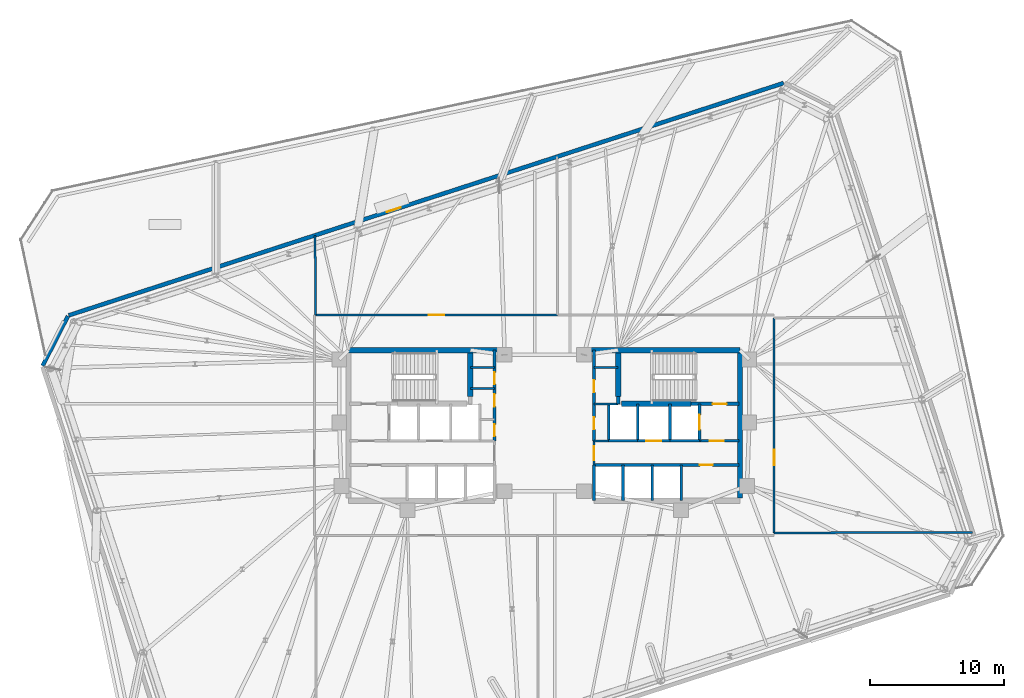
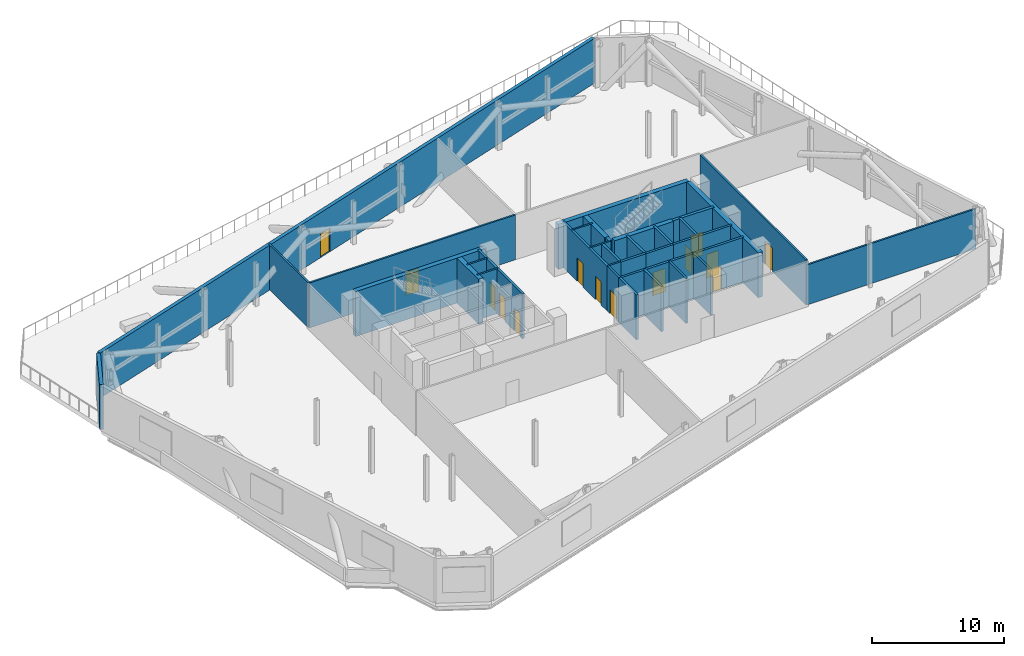
# One storey, part 14 of 16: 35 walls, 14 doors, 14 openings.
"""IFC4 building model written with IfcOpenShell, lengths in metres."""

from ifc_helpers import new_model, si_unit, direction, frame, frame_2d, origin, place, context, subcontext, project, spatial, rectangle, extrude, material, layer, layer_set, type_object, element, fill, save


model = new_model("IFC4")

# Units and contexts
model_context = context("Model", 3, precision=1e-05, world=origin(), true_north=direction((0.0, 1.0)))
body_context = subcontext(model_context, "Body", "Model", "MODEL_VIEW")
ifc_project = project(units=[si_unit("LENGTHUNIT", "METRE"), si_unit("AREAUNIT", "SQUARE_METRE"), si_unit("VOLUMEUNIT", "CUBIC_METRE"), si_unit("PLANEANGLEUNIT", "RADIAN"), si_unit("MASSUNIT", "GRAM", prefix="KILO")], contexts=[model_context])

# Site, building, storey
site_placement = place(None, origin())
site = spatial("IfcSite", under=ifc_project, at=site_placement, CompositionType="ELEMENT")
building_placement = place(site_placement, origin())
building = spatial("IfcBuilding", under=site, at=building_placement, Name="Menara Jurai Vektor", CompositionType="ELEMENT")
storey_placement = place(building_placement, frame((0.0, 0.0, 202.39990234375)))
storey = spatial("IfcBuildingStorey", under=building, at=storey_placement, Name="L53", CompositionType="ELEMENT", Elevation=202.39990234375)

# Wall, opening, door
ifc_material_1 = material(Name="Insulated Pale Aluminium Spandrel Wall", Category="aluminium")
ifc_layer_1 = layer(ifc_material_1, 0.300048828125)
ifc_layer_set_1 = layer_set([ifc_layer_1], Name="Insulated Pale Aluminium Spandrel Wall")
wall_type_1 = type_object("IfcWallType", Name="ENV-WALL-EXT300", PredefinedType="STANDARD", material=ifc_layer_set_1)
wall_1_placement = place(storey_placement, frame((17.806396484375, 25.459716796875, 0.0), z_axis=(0.0, 0.0, 1.0), x_axis=(-0.951056753609, -0.309016263999, 0.0)))
wall_1 = element("IfcWall", 1, at=wall_1_placement, inside=storey, type_object=wall_type_1, Name="Plant Floor Enclosure Wall L53-05", PredefinedType="STANDARD", context=body_context, shape_type="SweptSolid", body=[
    extrude(rectangle(XDim=55.909912109375, YDim=0.300048828125, at=frame_2d((27.955078125, 0.0))), origin(), (0.0, 0.0, 1.0), 4.150146484375),
])
opening_1_placement = place(wall_1_placement, frame((29.948974609375, 0.0, 0.0)))
opening_1 = element("IfcOpeningElement", 2, at=opening_1_placement, cuts=wall_1, Name="Opening TD-L53", PredefinedType="OPENING", context=body_context, shape_type="SweptSolid", body=[
    extrude(rectangle(XDim=1.10009765625, YDim=2.199951171875, at=frame_2d((0.550048828125, 1.10009765625))), frame((0.0, 0.16015625, 0.0), z_axis=(0.0, -1.0, 0.0), x_axis=(1.0, 0.0, 0.0)), (0.0, 0.0, 1.0), 0.320068359375),
])
ifc_material_2 = material(Name="Anodised Aluminium Glazed Terrace Door", Category="aluminium")
door_type_1 = type_object("IfcDoorType", Name="ENV-DOOR-TER110", OperationType="NOTDEFINED", PredefinedType="DOOR", material=ifc_material_2)
door_1_placement = place(opening_1_placement, frame((1.10009765625, 0.0, 0.0), z_axis=(0.0, 0.0, 1.0), x_axis=(-1.0, 0.0, 0.0)))
door_1 = element("IfcDoor", 3, at=door_1_placement, inside=storey, type_object=door_type_1, Name="Spiral Terrace Access Door L53", OperationType="SINGLE_SWING_LEFT", OverallHeight=2.199951171875, OverallWidth=1.10009765625, PredefinedType="DOOR", context=body_context, shape_type="SweptSolid", body=[
    extrude(rectangle(XDim=1.10009765625, YDim=2.199951171875, at=frame_2d((0.550048828125, 1.10009765625))), frame((0.0, 0.02490234375, 0.0), z_axis=(0.0, -1.0, 0.0), x_axis=(1.0, 0.0, 0.0)), (0.0, 0.0, 1.0), 0.050048828125),
])
fill(opening_1, door_1)

# Wall
wall_2_placement = place(storey_placement, frame((-35.430419921875, 8.128662109375, 0.0), z_axis=(0.0, 0.0, 1.0), x_axis=(-0.453973337542, -0.891015268556, 0.0)))
element("IfcWall", 4, at=wall_2_placement, inside=storey, type_object=wall_type_1, Name="Plant Floor Enclosure Wall L53-06", PredefinedType="STANDARD", context=body_context, shape_type="SweptSolid", body=[
    extrude(rectangle(XDim=4.15283203125, YDim=0.300048828125, at=frame_2d((2.076416015625, 0.0))), origin(), (0.0, 0.0, 1.0), 4.150146484375),
])

# Wall, opening, door
ifc_material_3 = material(Name="Concrete C40/50", Category="concrete")
ifc_layer_2 = layer(ifc_material_3, 0.25)
ifc_layer_set_2 = layer_set([ifc_layer_2], Name="Concrete C40/50")
wall_type_2 = type_object("IfcWallType", Name="INT-WALL-CORE-250", PredefinedType="STANDARD", material=ifc_layer_set_2)
wall_3_placement = place(storey_placement, frame((10.89990234375, 1.60009765625, 0.0), z_axis=(0.0, 0.0, 1.0), x_axis=(1.0, 0.0, 0.0)))
wall_3 = element("IfcWall", 5, at=wall_3_placement, inside=storey, type_object=wall_type_2, Name="Interior Wall IW-250 L53", PredefinedType="STANDARD", context=body_context, shape_type="SweptSolid", body=[
    extrude(rectangle(XDim=3.60009765625, YDim=0.25, at=frame_2d((1.800048828125, 0.0))), origin(), (0.0, 0.0, 1.0), 4.150146484375),
])
opening_2_placement = place(wall_3_placement, frame((1.6201171875, 0.0, 0.0)))
opening_2 = element("IfcOpeningElement", 6, at=opening_2_placement, cuts=wall_3, Name="Opening D-L53-ST2", PredefinedType="OPENING", context=body_context, shape_type="SweptSolid", body=[
    extrude(rectangle(XDim=1.050048828125, YDim=2.14990234375, at=frame_2d((0.52490234375, 1.074951171875))), frame((0.0, 0.135009765625, 0.0), z_axis=(0.0, -1.0, 0.0), x_axis=(1.0, 0.0, 0.0)), (0.0, 0.0, 1.0), 0.27001953125),
])
ifc_material_4 = material(Name="Fire-Rated Steel Door", Category="steel")
door_type_2 = type_object("IfcDoorType", Name="DR-STAIR-1050", OperationType="NOTDEFINED", PredefinedType="DOOR", material=ifc_material_4)
door_2_placement = place(opening_2_placement, origin())
door_2 = element("IfcDoor", 7, at=door_2_placement, inside=storey, type_object=door_type_2, Name="Exit Stair ST2 Door L53", OperationType="SINGLE_SWING_LEFT", OverallHeight=2.14990234375, OverallWidth=1.050048828125, PredefinedType="DOOR", context=body_context, shape_type="SweptSolid", body=[
    extrude(rectangle(XDim=1.050048828125, YDim=2.14990234375, at=frame_2d((0.52490234375, 1.074951171875))), frame((0.0, 0.02490234375, 0.0), z_axis=(0.0, -1.0, 0.0), x_axis=(1.0, 0.0, 0.0)), (0.0, 0.0, 1.0), 0.050048828125),
])
fill(opening_2, door_2)

# Wall
wall_4_placement = place(storey_placement, frame((5.5, 1.60009765625, 0.0), z_axis=(0.0, 0.0, 1.0), x_axis=(0.0, 1.0, 0.0)))
element("IfcWall", 8, at=wall_4_placement, inside=storey, type_object=wall_type_2, Name="Interior Wall IW-250 L53", PredefinedType="STANDARD", context=body_context, shape_type="SweptSolid", body=[
    extrude(rectangle(XDim=0.5498046875, YDim=0.25, at=frame_2d((0.27490234375, 0.0))), origin(), (0.0, 0.0, 1.0), 4.150146484375),
])

# Wall, opening, door
wall_5_placement = place(storey_placement, frame((11.550048828125, -1.14990234375, 0.0), z_axis=(0.0, 0.0, 1.0), x_axis=(0.0, 1.0, 0.0)))
wall_5 = element("IfcWall", 9, at=wall_5_placement, inside=storey, type_object=wall_type_2, Name="Interior Wall IW-250 L53", PredefinedType="STANDARD", context=body_context, shape_type="SweptSolid", body=[
    extrude(rectangle(XDim=2.75, YDim=0.199951171875, at=frame_2d((1.375, 0.0))), origin(), (0.0, 0.0, 1.0), 4.150146484375),
])
opening_3_placement = place(wall_5_placement, frame((0.824951171875, 0.0, 0.0)))
opening_3 = element("IfcOpeningElement", 10, at=opening_3_placement, cuts=wall_5, Name="Opening LD-L53-FL2", PredefinedType="OPENING", context=body_context, shape_type="SweptSolid", body=[
    extrude(rectangle(XDim=1.10009765625, YDim=2.14990234375, at=frame_2d((0.550048828125, 1.074951171875))), frame((0.0, 0.10986328125, 0.0), z_axis=(0.0, -1.0, 0.0), x_axis=(1.0, 0.0, 0.0)), (0.0, 0.0, 1.0), 0.219970703125),
])
ifc_material_5 = material(Name="Stainless Steel Sliding Lift Landing Door", Category="steel")
door_type_3 = type_object("IfcDoorType", Name="DR-LIFT-FIRE-1100", OperationType="NOTDEFINED", PredefinedType="DOOR", material=ifc_material_5)
door_3_placement = place(opening_3_placement, origin())
door_3 = element("IfcDoor", 11, at=door_3_placement, inside=storey, type_object=door_type_3, Name="Lift Landing Door FL2 L53", OperationType="SLIDING_TO_RIGHT", OverallHeight=2.14990234375, OverallWidth=1.10009765625, PredefinedType="DOOR", context=body_context, shape_type="SweptSolid", body=[
    extrude(rectangle(XDim=1.10009765625, YDim=2.14990234375, at=frame_2d((0.550048828125, 1.074951171875))), frame((0.0, 0.02490234375, 0.0), z_axis=(0.0, -1.0, 0.0), x_axis=(1.0, 0.0, 0.0)), (0.0, 0.0, 1.0), 0.050048828125),
])
fill(opening_3, door_3)

# Wall
wall_6_placement = place(storey_placement, frame((9.35009765625, -1.14990234375, 0.0), z_axis=(0.0, 0.0, 1.0), x_axis=(0.0, 1.0, 0.0)))
element("IfcWall", 12, at=wall_6_placement, inside=storey, type_object=wall_type_2, Name="Interior Wall IW-250 L53", PredefinedType="STANDARD", context=body_context, shape_type="SweptSolid", body=[
    extrude(rectangle(XDim=2.75, YDim=0.199951171875, at=frame_2d((1.375, 0.0))), origin(), (0.0, 0.0, 1.0), 4.150146484375),
])

# Wall, opening, door
wall_7_placement = place(storey_placement, frame((11.550048828125, -1.14990234375, 0.0), z_axis=(0.0, 0.0, 1.0), x_axis=(1.0, 0.0, 0.0)))
wall_7 = element("IfcWall", 13, at=wall_7_placement, inside=storey, type_object=wall_type_2, Name="Interior Wall IW-250 L53", PredefinedType="STANDARD", context=body_context, shape_type="SweptSolid", body=[
    extrude(rectangle(XDim=2.949951171875, YDim=0.199951171875, at=frame_2d((1.47509765625, 0.0))), origin(), (0.0, 0.0, 1.0), 4.150146484375),
])
opening_4_placement = place(wall_7_placement, frame((0.75, 0.0, 0.0)))
opening_4 = element("IfcOpeningElement", 14, at=opening_4_placement, cuts=wall_7, Name="Opening D-L53-FFE", PredefinedType="OPENING", context=body_context, shape_type="SweptSolid", body=[
    extrude(rectangle(XDim=1.050048828125, YDim=2.179931640625, at=frame_2d((0.52490234375, 1.08984375))), frame((0.0, 0.10986328125, 0.0), z_axis=(0.0, -1.0, 0.0), x_axis=(1.0, 0.0, 0.0)), (0.0, 0.0, 1.0), 0.219970703125),
])
ifc_material_6 = material(Name="Fire-Rated Timber Door", Category="wood")
door_type_4 = type_object("IfcDoorType", Name="DR-LOBBY-1050", OperationType="NOTDEFINED", PredefinedType="DOOR", material=ifc_material_6)
door_4_placement = place(opening_4_placement, origin())
door_4 = element("IfcDoor", 15, at=door_4_placement, inside=storey, type_object=door_type_4, Name="Fire Lift Lobby Door E L53", OperationType="SINGLE_SWING_LEFT", OverallHeight=2.179931640625, OverallWidth=1.050048828125, PredefinedType="DOOR", context=body_context, shape_type="SweptSolid", body=[
    extrude(rectangle(XDim=1.050048828125, YDim=2.179931640625, at=frame_2d((0.52490234375, 1.08984375))), frame((0.0, 0.02490234375, 0.0), z_axis=(0.0, -1.0, 0.0), x_axis=(1.0, 0.0, 0.0)), (0.0, 0.0, 1.0), 0.050048828125),
])
fill(opening_4, door_4)

# Wall
wall_8_placement = place(storey_placement, frame((9.35009765625, -1.14990234375, 0.0), z_axis=(0.0, 0.0, 1.0), x_axis=(1.0, 0.0, 0.0)))
element("IfcWall", 16, at=wall_8_placement, inside=storey, type_object=wall_type_2, Name="Interior Wall IW-250 L53", PredefinedType="STANDARD", context=body_context, shape_type="SweptSolid", body=[
    extrude(rectangle(XDim=2.199951171875, YDim=0.199951171875, at=frame_2d((1.10009765625, 0.0))), origin(), (0.0, 0.0, 1.0), 4.150146484375),
])

# Wall, opening, door
ifc_material_7 = material(Name="Gypsum Fireboard Partition", Category="gypsum")
ifc_layer_3 = layer(ifc_material_7, 0.14990234375)
ifc_layer_set_3 = layer_set([ifc_layer_3], Name="Gypsum Fireboard Partition")
wall_type_3 = type_object("IfcWallType", Name="INT-WALL-CORR-150", PredefinedType="PARTITIONING", material=ifc_layer_set_3)
wall_9_placement = place(storey_placement, frame((3.699951171875, -2.949951171875, 0.0), z_axis=(0.0, 0.0, 1.0), x_axis=(0.0, 1.0, 0.0)))
wall_9 = element("IfcWall", 17, at=wall_9_placement, inside=storey, type_object=wall_type_3, Name="Interior Wall IW-150 L53", PredefinedType="PARTITIONING", context=body_context, shape_type="SweptSolid", body=[
    extrude(rectangle(XDim=1.800048828125, YDim=0.14990234375, at=frame_2d((0.89990234375, 0.0))), origin(), (0.0, 0.0, 1.0), 4.150146484375),
])
opening_5_placement = place(wall_9_placement, frame((0.35009765625, 0.0, 0.0)))
opening_5 = element("IfcOpeningElement", 18, at=opening_5_placement, cuts=wall_9, Name="Opening D-L53-LLE", PredefinedType="OPENING", context=body_context, shape_type="SweptSolid", body=[
    extrude(rectangle(XDim=1.050048828125, YDim=2.179931640625, at=frame_2d((0.52490234375, 1.08984375))), frame((0.0, 0.0849609375, 0.0), z_axis=(0.0, -1.0, 0.0), x_axis=(1.0, 0.0, 0.0)), (0.0, 0.0, 1.0), 0.169921875),
])
door_5_placement = place(opening_5_placement, frame((1.050048828125, 0.0, 0.0), z_axis=(0.0, 0.0, 1.0), x_axis=(-1.0, 0.0, 0.0)))
door_5 = element("IfcDoor", 19, at=door_5_placement, inside=storey, type_object=door_type_4, Name="Lift Lobby Corridor Door E L53", OperationType="SINGLE_SWING_RIGHT", OverallHeight=2.179931640625, OverallWidth=1.050048828125, PredefinedType="DOOR", context=body_context, shape_type="SweptSolid", body=[
    extrude(rectangle(XDim=1.050048828125, YDim=2.179931640625, at=frame_2d((0.52490234375, 1.08984375))), frame((0.0, 0.02490234375, 0.0), z_axis=(0.0, -1.0, 0.0), x_axis=(1.0, 0.0, 0.0)), (0.0, 0.0, 1.0), 0.050048828125),
])
fill(opening_5, door_5)

# Walls
wall_10_placement = place(storey_placement, frame((3.699951171875, -1.14990234375, 0.0), z_axis=(0.0, 0.0, 1.0), x_axis=(1.0, 0.0, 0.0)))
element("IfcWall", 20, at=wall_10_placement, inside=storey, type_object=wall_type_3, Name="Interior Wall IW-150 L53", PredefinedType="PARTITIONING", context=body_context, shape_type="SweptSolid", body=[
    extrude(rectangle(XDim=1.090087890625, YDim=0.14990234375, at=frame_2d((0.544921875, 0.0))), origin(), (0.0, 0.0, 1.0), 4.150146484375),
])
for number, where, z_axis, x_axis, name in (
    (21, (-5.5, 4.300048828125, 0.0), (0.0, 0.0, 1.0), (1.0, 0.0, 0.0), "Interior Wall IW-150 L53"),
    (22, (-5.5, 2.75, 0.0), (0.0, 0.0, 1.0), (1.0, 0.0, 0.0), "Interior Wall IW-150 L53"),
    (23, (3.699951171875, 4.300048828125, 0.0), (0.0, 0.0, 1.0), (1.0, 0.0, 0.0), "Interior Wall IW-150 L53"),
    (24, (3.699951171875, 1.60009765625, 0.0), (0.0, 0.0, 1.0), (1.0, 0.0, 0.0), "Interior Wall IW-150 L53"),
):
    element("IfcWall", number, at=place(storey_placement, frame(where, z_axis=z_axis, x_axis=x_axis)), inside=storey, type_object=wall_type_3, Name=name, PredefinedType="PARTITIONING", context=body_context, shape_type="SweptSolid", body=[
        extrude(rectangle(XDim=1.800048828125, YDim=0.14990234375, at=frame_2d((0.89990234375, 0.0))), origin(), (0.0, 0.0, 1.0), 4.150146484375),
    ])

# Wall, opening, door
wall_11_placement = place(storey_placement, frame((-17.0, 8.199951171875, 0.0), z_axis=(0.0, 0.0, 1.0), x_axis=(1.0, 0.0, 0.0)))
wall_11 = element("IfcWall", 25, at=wall_11_placement, inside=storey, type_object=wall_type_3, Name="Interior Wall IW-150 L53", PredefinedType="PARTITIONING", context=body_context, shape_type="SweptSolid", body=[
    extrude(rectangle(XDim=18.0, YDim=0.14990234375, at=frame_2d((9.0, 0.0))), origin(), (0.0, 0.0, 1.0), 4.150146484375),
])
opening_6_placement = place(wall_11_placement, frame((8.425048828125, 0.0, 0.0)))
opening_6 = element("IfcOpeningElement", 26, at=opening_6_placement, cuts=wall_11, Name="Opening D53-08", PredefinedType="OPENING", context=body_context, shape_type="SweptSolid", body=[
    extrude(rectangle(XDim=1.14990234375, YDim=2.14990234375, at=frame_2d((0.574951171875, 1.074951171875))), frame((0.0, 0.0849609375, 0.0), z_axis=(0.0, -1.0, 0.0), x_axis=(1.0, 0.0, 0.0)), (0.0, 0.0, 1.0), 0.169921875),
])
ifc_material_8 = material(Name="Fire-Rated Steel Plant Door", Category="steel")
door_type_5 = type_object("IfcDoorType", Name="DR-PLANT-1150", OperationType="NOTDEFINED", PredefinedType="DOOR", material=ifc_material_8)
door_6_placement = place(opening_6_placement, origin())
door_6 = element("IfcDoor", 27, at=door_6_placement, inside=storey, type_object=door_type_5, Name="Interior Door D53-08", OperationType="SINGLE_SWING_LEFT", OverallHeight=2.14990234375, OverallWidth=1.14990234375, PredefinedType="DOOR", context=body_context, shape_type="SweptSolid", body=[
    extrude(rectangle(XDim=1.14990234375, YDim=2.14990234375, at=frame_2d((0.574951171875, 1.074951171875))), frame((0.0, 0.02490234375, 0.0), z_axis=(0.0, -1.0, 0.0), x_axis=(1.0, 0.0, 0.0)), (0.0, 0.0, 1.0), 0.050048828125),
])
fill(opening_6, door_6)

wall_12_placement = place(storey_placement, frame((17.10009765625, -8.0, 0.0), z_axis=(0.0, 0.0, 1.0), x_axis=(0.0, 1.0, 0.0)))
wall_12 = element("IfcWall", 28, at=wall_12_placement, inside=storey, type_object=wall_type_3, Name="Interior Wall IW-150 L53", PredefinedType="PARTITIONING", context=body_context, shape_type="SweptSolid", body=[
    extrude(rectangle(XDim=16.0, YDim=0.14990234375, at=frame_2d((8.0, 0.0))), origin(), (0.0, 0.0, 1.0), 4.150146484375),
])
opening_7_placement = place(wall_12_placement, frame((5.02490234375, 0.0, 0.0)))
opening_7 = element("IfcOpeningElement", 29, at=opening_7_placement, cuts=wall_12, Name="Opening D53-13", PredefinedType="OPENING", context=body_context, shape_type="SweptSolid", body=[
    extrude(rectangle(XDim=1.14990234375, YDim=2.14990234375, at=frame_2d((0.574951171875, 1.074951171875))), frame((0.0, 0.0849609375, 0.0), z_axis=(0.0, -1.0, 0.0), x_axis=(1.0, 0.0, 0.0)), (0.0, 0.0, 1.0), 0.169921875),
])
door_7_placement = place(opening_7_placement, origin())
door_7 = element("IfcDoor", 30, at=door_7_placement, inside=storey, type_object=door_type_5, Name="Interior Door D53-13", OperationType="SINGLE_SWING_RIGHT", OverallHeight=2.14990234375, OverallWidth=1.14990234375, PredefinedType="DOOR", context=body_context, shape_type="SweptSolid", body=[
    extrude(rectangle(XDim=1.14990234375, YDim=2.14990234375, at=frame_2d((0.574951171875, 1.074951171875))), frame((0.0, 0.02490234375, 0.0), z_axis=(0.0, -1.0, 0.0), x_axis=(1.0, 0.0, 0.0)), (0.0, 0.0, 1.0), 0.050048828125),
])
fill(opening_7, door_7)

# Walls
wall_13_placement = place(storey_placement, frame((-17.0, 8.199951171875, 0.0), z_axis=(0.0, 0.0, 1.0), x_axis=(-0.007814832104, 0.999969463733, 0.0)))
element("IfcWall", 31, at=wall_13_placement, inside=storey, type_object=wall_type_3, Name="Interior Wall IW-150 L53", PredefinedType="PARTITIONING", context=body_context, shape_type="SweptSolid", body=[
    extrude(rectangle(XDim=5.935791015625, YDim=0.14990234375, at=frame_2d((2.9677734375, 0.0))), origin(), (0.0, 0.0, 1.0), 4.150146484375),
])
ifc_layer_4 = layer(ifc_material_7, 0.14990234375)
ifc_layer_set_4 = layer_set([ifc_layer_4], Name="Gypsum Fireboard Partition")
wall_type_4 = type_object("IfcWallType", Name="INT-WALL-CORR-150-H1", PredefinedType="PARTITIONING", material=ifc_layer_set_4)
wall_14_placement = place(storey_placement, frame((17.10009765625, -8.0, 0.0), z_axis=(0.0, 0.0, 1.0), x_axis=(0.999995064765, 0.003141726673, 0.0)))
element("IfcWall", 32, at=wall_14_placement, inside=storey, type_object=wall_type_4, Name="Interior Wall IW-150 L53", PredefinedType="PARTITIONING", context=body_context, shape_type="SweptSolid", body=[
    extrude(rectangle(XDim=14.7646484375, YDim=0.14990234375, at=frame_2d((7.38232421875, 0.0))), origin(), (0.0, 0.0, 1.0), 3.7001953125),
])

# Wall, openings, doors
ifc_layer_5 = layer(ifc_material_3, 0.199951171875)
ifc_layer_set_5 = layer_set([ifc_layer_5], Name="Concrete C40/50")
wall_type_5 = type_object("IfcWallType", Name="INT-WALL-SHAFT-200", PredefinedType="STANDARD", material=ifc_layer_set_5)
wall_15_placement = place(storey_placement, frame((-3.699951171875, -1.14990234375, 0.0), z_axis=(0.0, 0.0, 1.0), x_axis=(0.0, 1.0, 0.0)))
wall_15 = element("IfcWall", 33, at=wall_15_placement, inside=storey, type_object=wall_type_5, Name="Interior Wall IW-200 L53", PredefinedType="STANDARD", context=body_context, shape_type="SweptSolid", body=[
    extrude(rectangle(XDim=6.75, YDim=0.199951171875, at=frame_2d((3.375, 0.0))), origin(), (0.0, 0.0, 1.0), 4.150146484375),
])
opening_8_placement = place(wall_15_placement, frame((0.35009765625, 0.0, 0.0)))
opening_8 = element("IfcOpeningElement", 34, at=opening_8_placement, cuts=wall_15, Name="Opening D53-02", PredefinedType="OPENING", context=body_context, shape_type="SweptSolid", body=[
    extrude(rectangle(XDim=0.8798828125, YDim=2.14990234375, at=frame_2d((0.43994140625, 1.074951171875))), frame((0.0, 0.10986328125, 0.0), z_axis=(0.0, -1.0, 0.0), x_axis=(1.0, 0.0, 0.0)), (0.0, 0.0, 1.0), 0.219970703125),
])
opening_9_placement = place(wall_15_placement, frame((2.550048828125, 0.0, 0.0)))
opening_9 = element("IfcOpeningElement", 35, at=opening_9_placement, cuts=wall_15, Name="Opening D53-03", PredefinedType="OPENING", context=body_context, shape_type="SweptSolid", body=[
    extrude(rectangle(XDim=0.919921875, YDim=2.14990234375, at=frame_2d((0.4599609375, 1.074951171875))), frame((0.0, 0.10986328125, 0.0), z_axis=(0.0, -1.0, 0.0), x_axis=(1.0, 0.0, 0.0)), (0.0, 0.0, 1.0), 0.219970703125),
])
opening_10_placement = place(wall_15_placement, frame((4.219970703125, 0.0, 0.0)))
opening_10 = element("IfcOpeningElement", 36, at=opening_10_placement, cuts=wall_15, Name="Opening D53-04", PredefinedType="OPENING", context=body_context, shape_type="SweptSolid", body=[
    extrude(rectangle(XDim=0.8798828125, YDim=2.14990234375, at=frame_2d((0.43994140625, 1.074951171875))), frame((0.0, 0.10986328125, 0.0), z_axis=(0.0, -1.0, 0.0), x_axis=(1.0, 0.0, 0.0)), (0.0, 0.0, 1.0), 0.219970703125),
])
ifc_material_9 = material(Name="Solid Core Timber Fire Door", Category="wood")
door_type_6 = type_object("IfcDoorType", Name="DR-ENTRY-950", OperationType="NOTDEFINED", PredefinedType="DOOR", material=ifc_material_9)
door_8_placement = place(opening_8_placement, origin())
door_8 = element("IfcDoor", 37, at=door_8_placement, inside=storey, type_object=door_type_6, Name="Interior Door D53-02", OperationType="SINGLE_SWING_LEFT", OverallHeight=2.14990234375, OverallWidth=0.8798828125, PredefinedType="DOOR", context=body_context, shape_type="SweptSolid", body=[
    extrude(rectangle(XDim=0.8798828125, YDim=2.14990234375, at=frame_2d((0.43994140625, 1.074951171875))), frame((0.0, 0.02490234375, 0.0), z_axis=(0.0, -1.0, 0.0), x_axis=(1.0, 0.0, 0.0)), (0.0, 0.0, 1.0), 0.050048828125),
])
fill(opening_8, door_8)
door_9_placement = place(opening_9_placement, origin())
door_9 = element("IfcDoor", 38, at=door_9_placement, inside=storey, type_object=door_type_6, Name="Interior Door D53-03", OperationType="SINGLE_SWING_LEFT", OverallHeight=2.14990234375, OverallWidth=0.919921875, PredefinedType="DOOR", context=body_context, shape_type="SweptSolid", body=[
    extrude(rectangle(XDim=0.919921875, YDim=2.14990234375, at=frame_2d((0.4599609375, 1.074951171875))), frame((0.0, 0.02490234375, 0.0), z_axis=(0.0, -1.0, 0.0), x_axis=(1.0, 0.0, 0.0)), (0.0, 0.0, 1.0), 0.050048828125),
])
fill(opening_9, door_9)
door_10_placement = place(opening_10_placement, origin())
door_10 = element("IfcDoor", 39, at=door_10_placement, inside=storey, type_object=door_type_6, Name="Interior Door D53-04", OperationType="SINGLE_SWING_LEFT", OverallHeight=2.14990234375, OverallWidth=0.8798828125, PredefinedType="DOOR", context=body_context, shape_type="SweptSolid", body=[
    extrude(rectangle(XDim=0.8798828125, YDim=2.14990234375, at=frame_2d((0.43994140625, 1.074951171875))), frame((0.0, 0.02490234375, 0.0), z_axis=(0.0, -1.0, 0.0), x_axis=(1.0, 0.0, 0.0)), (0.0, 0.0, 1.0), 0.050048828125),
])
fill(opening_10, door_10)

wall_16_placement = place(storey_placement, frame((3.699951171875, -1.14990234375, 0.0), z_axis=(0.0, 0.0, 1.0), x_axis=(0.0, 1.0, 0.0)))
wall_16 = element("IfcWall", 40, at=wall_16_placement, inside=storey, type_object=wall_type_5, Name="Interior Wall IW-200 L53", PredefinedType="STANDARD", context=body_context, shape_type="SweptSolid", body=[
    extrude(rectangle(XDim=6.75, YDim=0.199951171875, at=frame_2d((3.375, 0.0))), origin(), (0.0, 0.0, 1.0), 4.150146484375),
])
opening_11_placement = place(wall_16_placement, frame((3.60009765625, 0.0, 0.0)))
opening_11 = element("IfcOpeningElement", 41, at=opening_11_placement, cuts=wall_16, Name="Opening D53-06", PredefinedType="OPENING", context=body_context, shape_type="SweptSolid", body=[
    extrude(rectangle(XDim=0.919921875, YDim=2.14990234375, at=frame_2d((0.4599609375, 1.074951171875))), frame((0.0, 0.10986328125, 0.0), z_axis=(0.0, -1.0, 0.0), x_axis=(1.0, 0.0, 0.0)), (0.0, 0.0, 1.0), 0.219970703125),
])
opening_12_placement = place(wall_16_placement, frame((0.85009765625, 0.0, 0.0)))
opening_12 = element("IfcOpeningElement", 42, at=opening_12_placement, cuts=wall_16, Name="Opening D53-07", PredefinedType="OPENING", context=body_context, shape_type="SweptSolid", body=[
    extrude(rectangle(XDim=0.89990234375, YDim=2.14990234375, at=frame_2d((0.449951171875, 1.074951171875))), frame((0.0, 0.10986328125, 0.0), z_axis=(0.0, -1.0, 0.0), x_axis=(1.0, 0.0, 0.0)), (0.0, 0.0, 1.0), 0.219970703125),
])
door_11_placement = place(opening_11_placement, origin())
door_11 = element("IfcDoor", 43, at=door_11_placement, inside=storey, type_object=door_type_6, Name="Interior Door D53-06", OperationType="SINGLE_SWING_RIGHT", OverallHeight=2.14990234375, OverallWidth=0.919921875, PredefinedType="DOOR", context=body_context, shape_type="SweptSolid", body=[
    extrude(rectangle(XDim=0.919921875, YDim=2.14990234375, at=frame_2d((0.4599609375, 1.074951171875))), frame((0.0, 0.02490234375, 0.0), z_axis=(0.0, -1.0, 0.0), x_axis=(1.0, 0.0, 0.0)), (0.0, 0.0, 1.0), 0.050048828125),
])
fill(opening_11, door_11)
door_12_placement = place(opening_12_placement, origin())
door_12 = element("IfcDoor", 44, at=door_12_placement, inside=storey, type_object=door_type_6, Name="Interior Door D53-07", OperationType="SINGLE_SWING_RIGHT", OverallHeight=2.14990234375, OverallWidth=0.89990234375, PredefinedType="DOOR", context=body_context, shape_type="SweptSolid", body=[
    extrude(rectangle(XDim=0.89990234375, YDim=2.14990234375, at=frame_2d((0.449951171875, 1.074951171875))), frame((0.0, 0.02490234375, 0.0), z_axis=(0.0, -1.0, 0.0), x_axis=(1.0, 0.0, 0.0)), (0.0, 0.0, 1.0), 0.050048828125),
])
fill(opening_12, door_12)

# Walls
wall_17_placement = place(storey_placement, frame((3.699951171875, -5.60009765625, 0.0), z_axis=(0.0, 0.0, 1.0), x_axis=(0.0, 1.0, 0.0)))
element("IfcWall", 45, at=wall_17_placement, inside=storey, type_object=wall_type_5, Name="Interior Wall IW-200 L53", PredefinedType="STANDARD", context=body_context, shape_type="SweptSolid", body=[
    extrude(rectangle(XDim=2.650146484375, YDim=0.199951171875, at=frame_2d((1.3251953125, 0.0))), origin(), (0.0, 0.0, 1.0), 4.150146484375),
])
wall_18_placement = place(storey_placement, frame((6.949951171875, -1.14990234375, 0.0), z_axis=(0.0, 0.0, 1.0), x_axis=(0.0, 1.0, 0.0)))
element("IfcWall", 46, at=wall_18_placement, inside=storey, type_object=wall_type_5, Name="Interior Wall IW-200 L53", PredefinedType="STANDARD", context=body_context, shape_type="SweptSolid", body=[
    extrude(rectangle(XDim=2.75, YDim=0.199951171875, at=frame_2d((1.375, 0.0))), origin(), (0.0, 0.0, 1.0), 4.150146484375),
])

# Wall, opening, door
wall_19_placement = place(storey_placement, frame((6.949951171875, -1.14990234375, 0.0), z_axis=(0.0, 0.0, 1.0), x_axis=(1.0, 0.0, 0.0)))
wall_19 = element("IfcWall", 47, at=wall_19_placement, inside=storey, type_object=wall_type_5, Name="Interior Wall IW-200 L53", PredefinedType="STANDARD", context=body_context, shape_type="SweptSolid", body=[
    extrude(rectangle(XDim=2.400146484375, YDim=0.199951171875, at=frame_2d((1.2001953125, 0.0))), origin(), (0.0, 0.0, 1.0), 4.150146484375),
])
opening_13_placement = place(wall_19_placement, frame((0.64990234375, 0.0, 0.0)))
opening_13 = element("IfcOpeningElement", 48, at=opening_13_placement, cuts=wall_19, Name="Opening LD-L53-SVL2", PredefinedType="OPENING", context=body_context, shape_type="SweptSolid", body=[
    extrude(rectangle(XDim=1.10009765625, YDim=2.14990234375, at=frame_2d((0.550048828125, 1.074951171875))), frame((0.0, 0.10986328125, 0.0), z_axis=(0.0, -1.0, 0.0), x_axis=(1.0, 0.0, 0.0)), (0.0, 0.0, 1.0), 0.219970703125),
])
ifc_material_10 = material(Name="Anodised Stainless Sliding Lift Landing Door", Category="steel")
door_type_7 = type_object("IfcDoorType", Name="DR-LIFT-PASS-1100", OperationType="NOTDEFINED", PredefinedType="DOOR", material=ifc_material_10)
door_13_placement = place(opening_13_placement, origin())
door_13 = element("IfcDoor", 49, at=door_13_placement, inside=storey, type_object=door_type_7, Name="Lift Landing Door SVL2 L53", OperationType="SLIDING_TO_RIGHT", OverallHeight=2.14990234375, OverallWidth=1.10009765625, PredefinedType="DOOR", context=body_context, shape_type="SweptSolid", body=[
    extrude(rectangle(XDim=1.10009765625, YDim=2.14990234375, at=frame_2d((0.550048828125, 1.074951171875))), frame((0.0, 0.02490234375, 0.0), z_axis=(0.0, -1.0, 0.0), x_axis=(1.0, 0.0, 0.0)), (0.0, 0.0, 1.0), 0.050048828125),
])
fill(opening_13, door_13)

# Walls
wall_20_placement = place(storey_placement, frame((4.7900390625, -1.14990234375, 0.0), z_axis=(0.0, 0.0, 1.0), x_axis=(0.0, 1.0, 0.0)))
element("IfcWall", 50, at=wall_20_placement, inside=storey, type_object=wall_type_5, Name="Interior Wall IW-200 L53", PredefinedType="STANDARD", context=body_context, shape_type="SweptSolid", body=[
    extrude(rectangle(XDim=2.75, YDim=0.199951171875, at=frame_2d((1.375, 0.0))), origin(), (0.0, 0.0, 1.0), 4.150146484375),
])
wall_21_placement = place(storey_placement, frame((4.7900390625, -1.14990234375, 0.0), z_axis=(0.0, 0.0, 1.0), x_axis=(1.0, 0.0, 0.0)))
element("IfcWall", 51, at=wall_21_placement, inside=storey, type_object=wall_type_5, Name="Interior Wall IW-200 L53", PredefinedType="STANDARD", context=body_context, shape_type="SweptSolid", body=[
    extrude(rectangle(XDim=2.159912109375, YDim=0.199951171875, at=frame_2d((1.080078125, 0.0))), origin(), (0.0, 0.0, 1.0), 4.150146484375),
])

# Wall, opening, door
wall_22_placement = place(storey_placement, frame((3.699951171875, -2.949951171875, 0.0), z_axis=(0.0, 0.0, 1.0), x_axis=(1.0, 0.0, 0.0)))
wall_22 = element("IfcWall", 52, at=wall_22_placement, inside=storey, type_object=wall_type_5, Name="Interior Wall IW-200 L53", PredefinedType="STANDARD", context=body_context, shape_type="SweptSolid", body=[
    extrude(rectangle(XDim=10.800048828125, YDim=0.199951171875, at=frame_2d((5.39990234375, 0.0))), origin(), (0.0, 0.0, 1.0), 4.150146484375),
])
opening_14_placement = place(wall_22_placement, frame((7.8798828125, 0.0, 0.0)))
opening_14 = element("IfcOpeningElement", 53, at=opening_14_placement, cuts=wall_22, Name="Opening D53-05", PredefinedType="OPENING", context=body_context, shape_type="SweptSolid", body=[
    extrude(rectangle(XDim=0.949951171875, YDim=2.14990234375, at=frame_2d((0.47509765625, 1.074951171875))), frame((0.0, 0.10986328125, 0.0), z_axis=(0.0, -1.0, 0.0), x_axis=(1.0, 0.0, 0.0)), (0.0, 0.0, 1.0), 0.219970703125),
])
door_14_placement = place(opening_14_placement, origin())
door_14 = element("IfcDoor", 54, at=door_14_placement, inside=storey, type_object=door_type_6, Name="Interior Door D53-05", OperationType="SINGLE_SWING_LEFT", OverallHeight=2.14990234375, OverallWidth=0.949951171875, PredefinedType="DOOR", context=body_context, shape_type="SweptSolid", body=[
    extrude(rectangle(XDim=0.949951171875, YDim=2.14990234375, at=frame_2d((0.47509765625, 1.074951171875))), frame((0.0, 0.02490234375, 0.0), z_axis=(0.0, -1.0, 0.0), x_axis=(1.0, 0.0, 0.0)), (0.0, 0.0, 1.0), 0.050048828125),
])
fill(opening_14, door_14)

# Walls
wall_23_placement = place(storey_placement, frame((5.860107421875, -5.60009765625, 0.0), z_axis=(0.0, 0.0, 1.0), x_axis=(0.0, 1.0, 0.0)))
element("IfcWall", 55, at=wall_23_placement, inside=storey, type_object=wall_type_5, Name="Interior Wall IW-200 L53", PredefinedType="STANDARD", context=body_context, shape_type="SweptSolid", body=[
    extrude(rectangle(XDim=2.650146484375, YDim=0.199951171875, at=frame_2d((1.3251953125, 0.0))), origin(), (0.0, 0.0, 1.0), 4.150146484375),
])
for number, where, z_axis, x_axis, name in (
    (56, (10.179931640625, -5.60009765625, 0.0), (0.0, 0.0, 1.0), (0.0, 1.0, 0.0), "Interior Wall IW-200 L53"),
    (57, (8.02001953125, -5.60009765625, 0.0), (0.0, 0.0, 1.0), (0.0, 1.0, 0.0), "Interior Wall IW-200 L53"),
):
    element("IfcWall", number, at=place(storey_placement, frame(where, z_axis=z_axis, x_axis=x_axis)), inside=storey, type_object=wall_type_5, Name=name, PredefinedType="STANDARD", context=body_context, shape_type="SweptSolid", body=[
        extrude(rectangle(XDim=2.650146484375, YDim=0.179931640625, at=frame_2d((1.3251953125, 0.0))), origin(), (0.0, 0.0, 1.0), 4.150146484375),
    ])
ifc_material_11 = material(Name="Concrete C50/60", Category="concrete")
ifc_layer_6 = layer(ifc_material_11, 0.39990234375)
ifc_layer_set_6 = layer_set([ifc_layer_6], Name="Concrete C50/60")
wall_type_6 = type_object("IfcWallType", Name="STR-WALL-CORE400", PredefinedType="SHEAR", material=ifc_layer_set_6)
wall_24_placement = place(storey_placement, frame((-14.56005859375, 5.60009765625, 0.0), z_axis=(0.0, 0.0, 1.0), x_axis=(1.0, 0.0, 0.0)))
element("IfcWall", 58, at=wall_24_placement, inside=storey, type_object=wall_type_6, Name="Core Shear Wall CW-W-N L53", PredefinedType="SHEAR", context=body_context, shape_type="SweptSolid", body=[
    extrude(rectangle(XDim=11.41015625, YDim=0.39990234375, at=frame_2d((5.705078125, 0.0))), origin(), (0.0, 0.0, 1.0), 4.150146484375),
])
wall_25_placement = place(storey_placement, frame((-5.5, 2.14990234375, 0.0), z_axis=(0.0, 0.0, 1.0), x_axis=(0.0, 1.0, 0.0)))
element("IfcWall", 59, at=wall_25_placement, inside=storey, type_object=wall_type_6, Name="Core Shear Wall CW-W-ST L53", PredefinedType="SHEAR", context=body_context, shape_type="SweptSolid", body=[
    extrude(rectangle(XDim=3.25, YDim=0.39990234375, at=frame_2d((1.625, 0.0))), origin(), (0.0, 0.0, 1.0), 4.150146484375),
])
wall_26_placement = place(storey_placement, frame((3.14990234375, 5.60009765625, 0.0), z_axis=(0.0, 0.0, 1.0), x_axis=(1.0, 0.0, 0.0)))
element("IfcWall", 60, at=wall_26_placement, inside=storey, type_object=wall_type_6, Name="Core Shear Wall CW-E-N L53", PredefinedType="SHEAR", context=body_context, shape_type="SweptSolid", body=[
    extrude(rectangle(XDim=11.41015625, YDim=0.39990234375, at=frame_2d((5.705078125, 0.0))), origin(), (0.0, 0.0, 1.0), 4.150146484375),
])
wall_27_placement = place(storey_placement, frame((14.56005859375, -5.39990234375, 0.0), z_axis=(0.0, 0.0, 1.0), x_axis=(0.0, 1.0, 0.0)))
element("IfcWall", 61, at=wall_27_placement, inside=storey, type_object=wall_type_6, Name="Core Shear Wall CW-E-E L53", PredefinedType="SHEAR", context=body_context, shape_type="SweptSolid", body=[
    extrude(rectangle(XDim=10.7998046875, YDim=0.39990234375, at=frame_2d((5.39990234375, 0.0))), origin(), (0.0, 0.0, 1.0), 4.150146484375),
])
wall_28_placement = place(storey_placement, frame((5.5, 2.14990234375, 0.0), z_axis=(0.0, 0.0, 1.0), x_axis=(0.0, 1.0, 0.0)))
element("IfcWall", 62, at=wall_28_placement, inside=storey, type_object=wall_type_6, Name="Core Shear Wall CW-E-ST L53", PredefinedType="SHEAR", context=body_context, shape_type="SweptSolid", body=[
    extrude(rectangle(XDim=3.25, YDim=0.39990234375, at=frame_2d((1.625, 0.0))), origin(), (0.0, 0.0, 1.0), 4.150146484375),
])
wall_29_placement = place(storey_placement, frame((5.75, 1.60009765625, 0.0), z_axis=(0.0, 0.0, 1.0), x_axis=(1.0, 0.0, 0.0)))
element("IfcWall", 63, at=wall_29_placement, inside=storey, type_object=wall_type_6, Name="Core Shear Wall CW-E-STS L53", PredefinedType="SHEAR", context=body_context, shape_type="SweptSolid", body=[
    extrude(rectangle(XDim=5.14990234375, YDim=0.39990234375, at=frame_2d((2.574951171875, 0.0))), origin(), (0.0, 0.0, 1.0), 4.150146484375),
])

save(model, "model.ifc")
